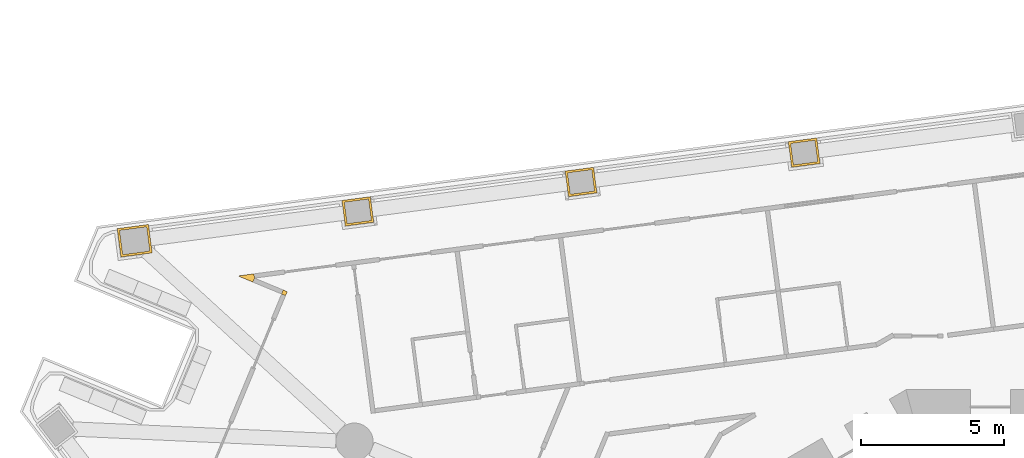
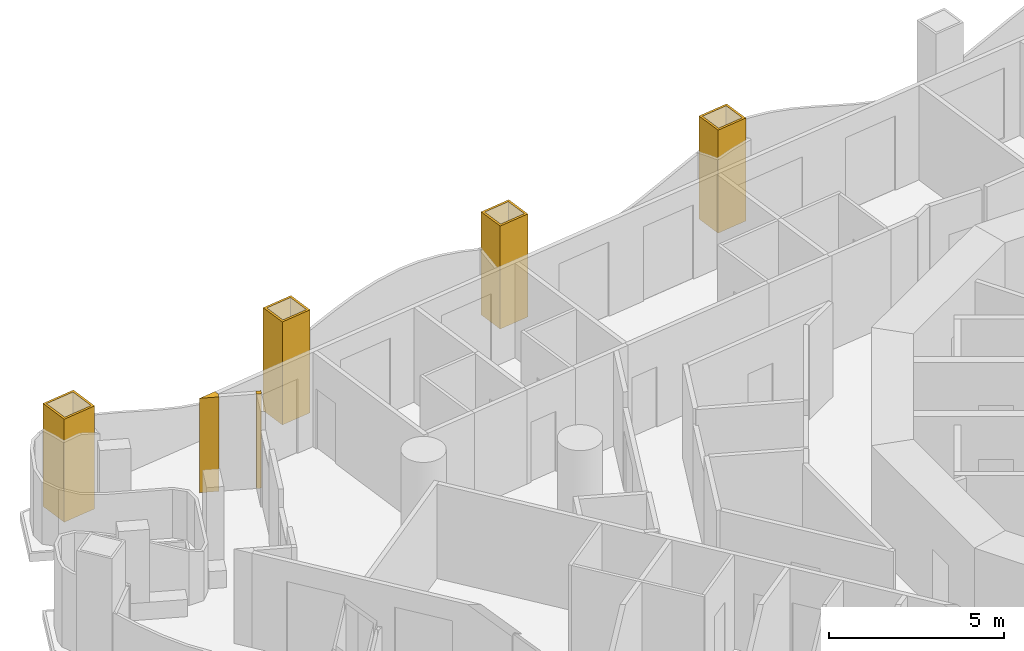
# One storey, part 16 of 19: 6 coverings.
"""IFC4 building model written with IfcOpenShell, lengths in metres."""

from ifc_helpers import new_model, si_unit, direction, frame, origin, place, context, subcontext, project, spatial, polyline, outline, extrude, material, layer, layer_set, type_object, element, save


model = new_model("IFC4")

# Units and contexts
model_context = context("Model", 3, precision=1e-05, world=origin(), true_north=direction((0.0, 1.0)))
body_context = subcontext(model_context, "Body", "Model", "MODEL_VIEW")
ifc_project = project(units=[si_unit("LENGTHUNIT", "METRE"), si_unit("AREAUNIT", "SQUARE_METRE"), si_unit("VOLUMEUNIT", "CUBIC_METRE"), si_unit("PLANEANGLEUNIT", "RADIAN"), si_unit("MASSUNIT", "GRAM", prefix="KILO")], contexts=[model_context])

# Site, building, storey
site_placement = place(None, origin())
site = spatial("IfcSite", under=ifc_project, at=site_placement, CompositionType="ELEMENT")
building_placement = place(site_placement, origin())
building = spatial("IfcBuilding", under=site, at=building_placement, Name="Trine Commons Tower", CompositionType="ELEMENT")
storey_placement = place(building_placement, frame((0.0, 0.0, 68.39990234375)))
storey = spatial("IfcBuildingStorey", under=building, at=storey_placement, Name="L16", CompositionType="ELEMENT", Elevation=68.39990234375)

# Coverings
ifc_material_1 = material(Name="Aluminium-framed insulated wall panel", Category="aluminium")
ifc_layer_1 = layer(ifc_material_1, 0.14990234375)
ifc_layer_set_1 = layer_set([ifc_layer_1], Name="Aluminium-framed insulated wall panel")
covering_type_1 = type_object("IfcCoveringType", Name="Glazing corner post, aluminium", PredefinedType="CLADDING", material=ifc_layer_set_1)
covering_1_placement = place(storey_placement, origin())
element("IfcCovering", 1, at=covering_1_placement, inside=storey, type_object=covering_type_1, Name="Glazing corner post 2-03", PredefinedType="CLADDING", context=body_context, shape_type="SweptSolid", body=[
    extrude(outline(polyline([(55.384521484375, 76.79833984375), (55.44189453125, 76.93701171875), (55.30322265625, 76.994384765625), (55.245849609375, 76.855712890625), (55.384521484375, 76.79833984375)])), origin(), (0.0, 0.0, 1.0), 3.300048828125),
])
covering_2_placement = place(storey_placement, origin())
element("IfcCovering", 2, at=covering_2_placement, inside=storey, type_object=covering_type_1, Name="Glazing corner post 2-04", PredefinedType="CLADDING", context=body_context, shape_type="SweptSolid", body=[
    extrude(outline(polyline([(54.242919921875, 77.271240234375), (54.30029296875, 77.409912109375), (54.280517578125, 77.55859375), (53.7255859375, 77.485595703125), (54.242919921875, 77.271240234375)])), origin(), (0.0, 0.0, 1.0), 3.300048828125),
])
ifc_material_2 = material(Name="Limestone, honed", Category="masonry")
ifc_layer_2 = layer(ifc_material_2, 0.074951171875)
ifc_layer_set_2 = layer_set([ifc_layer_2], Name="Limestone, honed")
covering_type_2 = type_object("IfcCoveringType", Name="Limestone column cladding 75", PredefinedType="CLADDING", material=ifc_layer_set_2)
covering_3_placement = place(storey_placement, origin())
element("IfcCovering", 3, at=covering_3_placement, inside=storey, type_object=covering_type_2, Name="Limestone pier cladding 2-09", PredefinedType="CLADDING", context=body_context, shape_type="SweptSolid", body=[
    extrude(outline(polyline([(50.726806640625, 78.291015625), (50.59619140625, 79.2822265625), (49.505615234375, 79.138671875), (49.635986328125, 78.147216796875), (50.726806640625, 78.291015625)]), holes=[polyline([(50.642578125, 78.35546875), (50.531494140625, 79.1982421875), (49.589599609375, 79.07421875), (49.70068359375, 78.2314453125), (50.642578125, 78.35546875)])]), origin(), (0.0, 0.0, 1.0), 3.60009765625),
])
covering_4_placement = place(storey_placement, origin())
element("IfcCovering", 4, at=covering_4_placement, inside=storey, type_object=covering_type_2, Name="Limestone pier cladding 2-10", PredefinedType="CLADDING", context=body_context, shape_type="SweptSolid", body=[
    extrude(outline(polyline([(58.4638671875, 79.360107421875), (58.34619140625, 80.252197265625), (57.354736328125, 80.121826171875), (57.472412109375, 79.2294921875), (58.4638671875, 79.360107421875)]), holes=[polyline([(58.379638671875, 79.424560546875), (58.28173828125, 80.168212890625), (57.43896484375, 80.05712890625), (57.536865234375, 79.313720703125), (58.379638671875, 79.424560546875)])]), origin(), (0.0, 0.0, 1.0), 3.60009765625),
])
covering_5_placement = place(storey_placement, origin())
element("IfcCovering", 5, at=covering_5_placement, inside=storey, type_object=covering_type_2, Name="Limestone pier cladding 2-11", PredefinedType="CLADDING", context=body_context, shape_type="SweptSolid", body=[
    extrude(outline(polyline([(66.257080078125, 80.385986328125), (66.1396484375, 81.2783203125), (65.148193359375, 81.147705078125), (65.265625, 80.255615234375), (66.257080078125, 80.385986328125)]), holes=[polyline([(66.1728515625, 80.45068359375), (66.074951171875, 81.194091796875), (65.232421875, 81.083251953125), (65.330078125, 80.339599609375), (66.1728515625, 80.45068359375)])]), origin(), (0.0, 0.0, 1.0), 3.60009765625),
])
covering_6_placement = place(storey_placement, origin())
element("IfcCovering", 6, at=covering_6_placement, inside=storey, type_object=covering_type_2, Name="Limestone pier cladding 2-12", PredefinedType="CLADDING", context=body_context, shape_type="SweptSolid", body=[
    extrude(outline(polyline([(74.05029296875, 81.412109375), (73.932861328125, 82.30419921875), (72.94140625, 82.173828125), (73.058837890625, 81.281494140625), (74.05029296875, 81.412109375)]), holes=[polyline([(73.96630859375, 81.4765625), (73.868408203125, 82.22021484375), (73.025634765625, 82.109130859375), (73.12353515625, 81.365478515625), (73.96630859375, 81.4765625)])]), origin(), (0.0, 0.0, 1.0), 3.60009765625),
])

save(model, "model.ifc")
